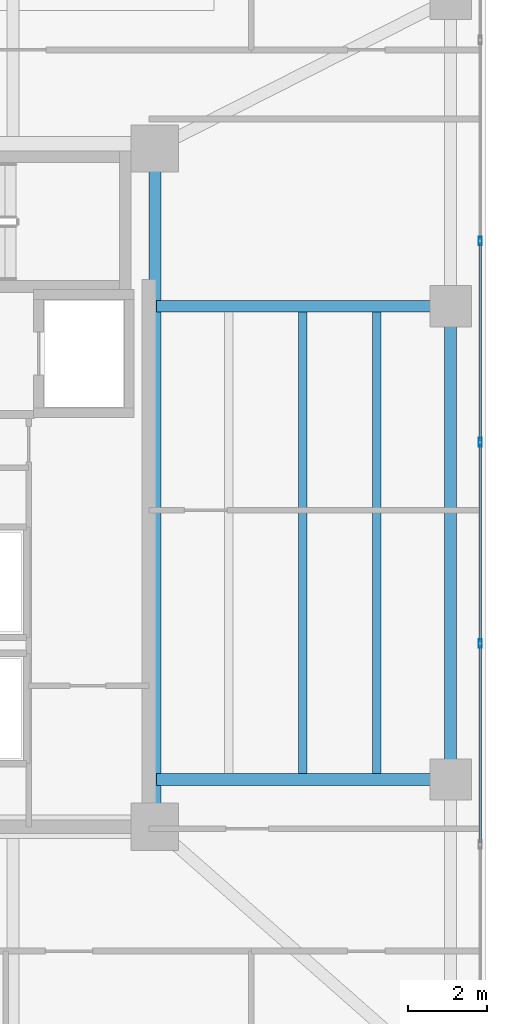
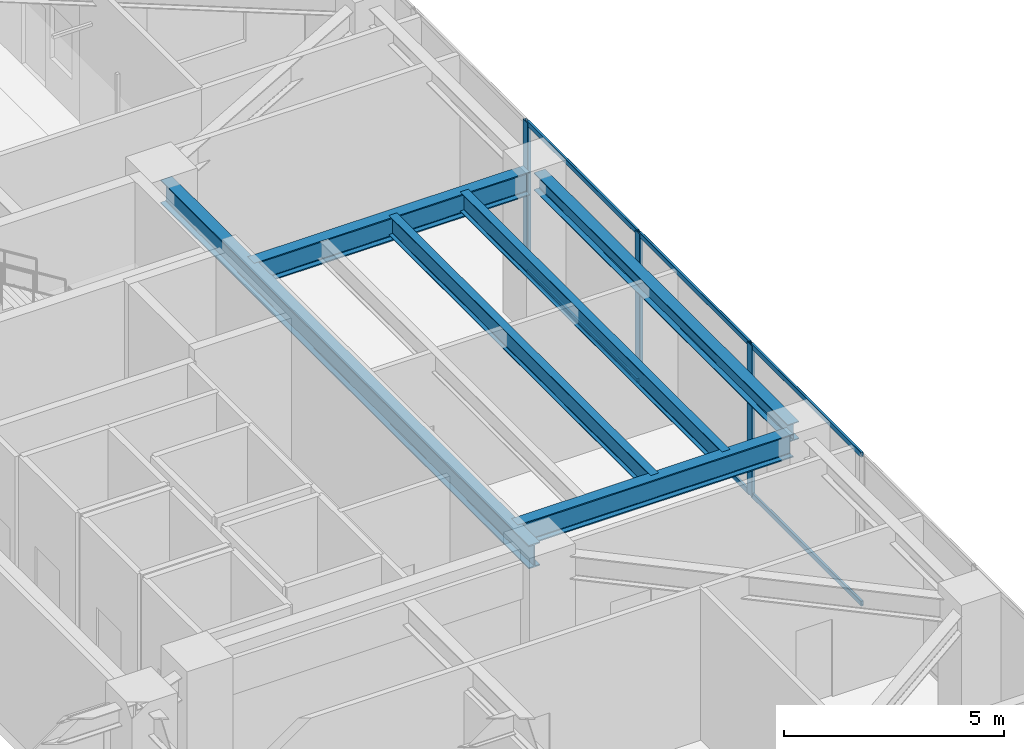
# One storey, part 18 of 38: 9 members, 6 beams, 1 element without a shape of its own.
"""IFC4 building model written with IfcOpenShell, lengths in metres."""

from ifc_helpers import new_model, si_unit, direction, frame, origin, origin_2d, place, context, subcontext, project, spatial, hollow_rectangle, i_section, extrude, material, layer, layer_set, material_profile, profile_set, type_object, element, aggregate, save


model = new_model("IFC4")

# Units and contexts
model_context = context("Model", 3, precision=1e-05, world=origin(), true_north=direction((0.0, 1.0)))
body_context = subcontext(model_context, "Body", "Model", "MODEL_VIEW")
ifc_project = project(units=[si_unit("LENGTHUNIT", "METRE"), si_unit("AREAUNIT", "SQUARE_METRE"), si_unit("VOLUMEUNIT", "CUBIC_METRE"), si_unit("PLANEANGLEUNIT", "RADIAN"), si_unit("MASSUNIT", "GRAM", prefix="KILO")], contexts=[model_context])

# Site, building, storey
site_placement = place(None, origin())
site = spatial("IfcSite", under=ifc_project, at=site_placement, CompositionType="ELEMENT")
building_placement = place(site_placement, origin())
building = spatial("IfcBuilding", under=site, at=building_placement, Name="Tarnavaz Court Tower", CompositionType="ELEMENT")
storey_placement = place(building_placement, frame((0.0, 0.0, 123.0)))
storey = spatial("IfcBuildingStorey", under=building, at=storey_placement, Name="L33", CompositionType="ELEMENT", Elevation=123.0)

# Beams
ifc_material_1 = material(Name="Steel S355", Category="steel")
ifc_material_profile_1 = material_profile(ifc_material_1, i_section(OverallWidth=0.300048828125, OverallDepth=0.64990234375, WebThickness=0.01611328125, FlangeThickness=0.031005859375, FilletRadius=0.027099609375, at=origin_2d()), Name="HEB 650")
ifc_profile_set_1 = profile_set([ifc_material_profile_1], Name="Steel S355")
beam_type_1 = type_object("IfcBeamType", Name="BM-G-HEB650", PredefinedType="USERDEFINED", material=ifc_profile_set_1)
beam_1_placement = place(storey_placement, frame((18.60009765625, -6.97998046875, 3.875), z_axis=(0.0, 1.0, 0.0), x_axis=(-1.0, 0.0, 0.0)))
element("IfcBeam", 1, at=beam_1_placement, inside=storey, type_object=beam_type_1, Name="L33 Beam IN-CE-SO-CE-NO", ObjectType="GIRDER", PredefinedType="USERDEFINED", context=body_context, shape_type="SweptSolid", body=[
    extrude(i_section(OverallWidth=0.300048828125, OverallDepth=0.64990234375, WebThickness=0.01611328125, FlangeThickness=0.031005859375, FilletRadius=0.027099609375, at=origin_2d()), origin(), (0.0, 0.0, 1.0), 16.760009765625),
])
for number, where, z_axis, x_axis, name in (
    (2, (18.639892578125, -6.0, 3.875), (1.0, 0.0, 0.0), (0.0, 1.0, 0.0), "L33 Beam RG-09"),
    (3, (18.639892578125, 6.0, 3.875), (1.0, 0.0, 0.0), (0.0, 1.0, 0.0), "L33 Beam RG-10"),
):
    element("IfcBeam", number, at=place(storey_placement, frame(where, z_axis=z_axis, x_axis=x_axis)), inside=storey, type_object=beam_type_1, Name=name, ObjectType="GIRDER", PredefinedType="USERDEFINED", context=body_context, shape_type="SweptSolid", body=[
        extrude(i_section(OverallWidth=0.300048828125, OverallDepth=0.64990234375, WebThickness=0.01611328125, FlangeThickness=0.031005859375, FilletRadius=0.027099609375, at=origin_2d()), origin(), (0.0, 0.0, 1.0), 7.239990234375),
    ])
ifc_material_profile_2 = material_profile(ifc_material_1, i_section(OverallWidth=0.2099609375, OverallDepth=0.550048828125, WebThickness=0.010986328125, FlangeThickness=0.01708984375, FilletRadius=0.02392578125, at=origin_2d()), Name="IPE 550")
ifc_profile_set_2 = profile_set([ifc_material_profile_2], Name="Steel S355")
beam_type_2 = type_object("IfcBeamType", Name="BM-J-IPE550", PredefinedType="JOIST", material=ifc_profile_set_2)
for number, where, z_axis, x_axis, name in (
    (4, (22.35009765625, -5.9599609375, 3.925048828125), (0.0, 1.0, 0.0), (-1.0, 0.0, 0.0), "L33 Beam JE2"),
    (5, (24.22509765625, -5.9599609375, 3.925048828125), (0.0, 1.0, 0.0), (-1.0, 0.0, 0.0), "L33 Beam JE3"),
):
    element("IfcBeam", number, at=place(storey_placement, frame(where, z_axis=z_axis, x_axis=x_axis)), inside=storey, type_object=beam_type_2, Name=name, PredefinedType="JOIST", context=body_context, shape_type="SweptSolid", body=[
        extrude(i_section(OverallWidth=0.2099609375, OverallDepth=0.550048828125, WebThickness=0.010986328125, FlangeThickness=0.01708984375, FilletRadius=0.02392578125, at=origin_2d()), origin(), (0.0, 0.0, 1.0), 11.919921875),
    ])
ifc_material_profile_3 = material_profile(ifc_material_1, i_section(OverallWidth=0.300048828125, OverallDepth=0.489990234375, WebThickness=0.011962890625, FlangeThickness=0.02294921875, FilletRadius=0.027099609375, at=origin_2d()), Name="HEA 500")
ifc_profile_set_3 = profile_set([ifc_material_profile_3], Name="Steel S355")
beam_type_3 = type_object("IfcBeamType", Name="BM-SP-HEA500", PredefinedType="SPANDREL", material=ifc_profile_set_3)
beam_2_placement = place(storey_placement, frame((26.10009765625, -5.780029296875, 3.955078125), z_axis=(0.0, 1.0, 0.0), x_axis=(-1.0, 0.0, 0.0)))
element("IfcBeam", 6, at=beam_2_placement, inside=storey, type_object=beam_type_3, Name="L33 Beam PR-PE-2-PE-3", PredefinedType="SPANDREL", context=body_context, shape_type="SweptSolid", body=[
    extrude(i_section(OverallWidth=0.300048828125, OverallDepth=0.489990234375, WebThickness=0.011962890625, FlangeThickness=0.02294921875, FilletRadius=0.027099609375, at=origin_2d()), origin(), (0.0, 0.0, 1.0), 11.56005859375),
])

# Curtain wall, members
ifc_material_2 = material(Name="Anodised Aluminium 6063-T6 and Solar Low-E Glazing", Category="aluminium")
ifc_layer = layer(ifc_material_2, 0.199951171875)
ifc_layer_set = layer_set([ifc_layer], Name="Anodised Aluminium 6063-T6 and Solar Low-E Glazing")
curtain_wall_type = type_object("IfcCurtainWallType", Name="CW-SYS-05", PredefinedType="NOTDEFINED", material=ifc_layer_set)
curtain_wall_placement = place(storey_placement, origin())
curtain_wall = element("IfcCurtainWall", 7, at=curtain_wall_placement, inside=storey, type_object=curtain_wall_type, Name="L33 Sky-Portal Curtain Wall 12", PredefinedType="NOTDEFINED")
ifc_material_3 = material(Name="Anodised Aluminium 6063-T6", Category="aluminium")
ifc_material_profile_4 = material_profile(ifc_material_3, hollow_rectangle(XDim=0.0849609375, YDim=0.219970703125, WallThickness=0.006103515625, InnerFilletRadius=0.006103515625, OuterFilletRadius=0.011962890625, at=origin_2d()), Name="ALU RHS 220X85X6")
ifc_profile_set_4 = profile_set([ifc_material_profile_4], Name="Anodised Aluminium 6063-T6")
member_type_1 = type_object("IfcMemberType", Name="CW-MUL-220", PredefinedType="MULLION", material=ifc_profile_set_4)
member_1_placement = place(storey_placement, frame((26.85009765625, 7.64990234375, 0.0), z_axis=(0.0, 0.0, 1.0), x_axis=(1.0, 0.0, 0.0)))
member_1 = element("IfcMember", 8, at=member_1_placement, type_object=member_type_1, Name="CW mullion 3", PredefinedType="MULLION", context=body_context, shape_type="SweptSolid", body=[
    extrude(hollow_rectangle(XDim=0.0849609375, YDim=0.219970703125, WallThickness=0.006103515625, InnerFilletRadius=0.006103515625, OuterFilletRadius=0.011962890625, at=origin_2d()), origin(), (0.0, 0.0, 1.0), 4.199951171875),
])
member_2_placement = place(storey_placement, frame((26.85009765625, 2.550048828125, 0.0), z_axis=(0.0, 0.0, 1.0), x_axis=(1.0, 0.0, 0.0)))
member_2 = element("IfcMember", 9, at=member_2_placement, type_object=member_type_1, Name="CW mullion 4", PredefinedType="MULLION", context=body_context, shape_type="SweptSolid", body=[
    extrude(hollow_rectangle(XDim=0.0849609375, YDim=0.219970703125, WallThickness=0.006103515625, InnerFilletRadius=0.006103515625, OuterFilletRadius=0.011962890625, at=origin_2d()), origin(), (0.0, 0.0, 1.0), 4.199951171875),
])
member_3_placement = place(storey_placement, frame((26.85009765625, -2.550048828125, 0.0), z_axis=(0.0, 0.0, 1.0), x_axis=(1.0, 0.0, 0.0)))
member_3 = element("IfcMember", 10, at=member_3_placement, type_object=member_type_1, Name="CW mullion 5", PredefinedType="MULLION", context=body_context, shape_type="SweptSolid", body=[
    extrude(hollow_rectangle(XDim=0.0849609375, YDim=0.219970703125, WallThickness=0.006103515625, InnerFilletRadius=0.006103515625, OuterFilletRadius=0.011962890625, at=origin_2d()), origin(), (0.0, 0.0, 1.0), 4.199951171875),
])
ifc_material_profile_5 = material_profile(ifc_material_3, hollow_rectangle(XDim=0.06494140625, YDim=0.139892578125, WallThickness=0.00390625, InnerFilletRadius=0.00390625, OuterFilletRadius=0.008056640625, at=origin_2d()), Name="ALU RHS 140X65X4")
ifc_profile_set_5 = profile_set([ifc_material_profile_5], Name="Anodised Aluminium 6063-T6")
member_type_2 = type_object("IfcMemberType", Name="CW-TRN-140", PredefinedType="USERDEFINED", material=ifc_profile_set_5)
member_4_placement = place(storey_placement, frame((26.85009765625, 7.607421875, 0.032470703125), z_axis=(0.0, -1.0, 0.0), x_axis=(1.0, 0.0, 0.0)))
member_4 = element("IfcMember", 11, at=member_4_placement, type_object=member_type_2, Name="CW transom 3.1", ObjectType="TRANSOM", PredefinedType="USERDEFINED", context=body_context, shape_type="SweptSolid", body=[
    extrude(hollow_rectangle(XDim=0.06494140625, YDim=0.139892578125, WallThickness=0.00390625, InnerFilletRadius=0.00390625, OuterFilletRadius=0.008056640625, at=origin_2d()), origin(), (0.0, 0.0, 1.0), 5.014892578125),
])
member_5_placement = place(storey_placement, frame((26.85009765625, 7.607421875, 4.16748046875), z_axis=(0.0, -1.0, 0.0), x_axis=(1.0, 0.0, 0.0)))
member_5 = element("IfcMember", 12, at=member_5_placement, type_object=member_type_2, Name="CW transom 3.2", ObjectType="TRANSOM", PredefinedType="USERDEFINED", context=body_context, shape_type="SweptSolid", body=[
    extrude(hollow_rectangle(XDim=0.06494140625, YDim=0.139892578125, WallThickness=0.00390625, InnerFilletRadius=0.00390625, OuterFilletRadius=0.008056640625, at=origin_2d()), origin(), (0.0, 0.0, 1.0), 5.014892578125),
])
member_6_placement = place(storey_placement, frame((26.85009765625, 2.507568359375, 0.032470703125), z_axis=(0.0, -1.0, 0.0), x_axis=(1.0, 0.0, 0.0)))
member_6 = element("IfcMember", 13, at=member_6_placement, type_object=member_type_2, Name="CW transom 4.1", ObjectType="TRANSOM", PredefinedType="USERDEFINED", context=body_context, shape_type="SweptSolid", body=[
    extrude(hollow_rectangle(XDim=0.06494140625, YDim=0.139892578125, WallThickness=0.00390625, InnerFilletRadius=0.00390625, OuterFilletRadius=0.008056640625, at=origin_2d()), origin(), (0.0, 0.0, 1.0), 5.01513671875),
])
member_7_placement = place(storey_placement, frame((26.85009765625, 2.507568359375, 4.16748046875), z_axis=(0.0, -1.0, 0.0), x_axis=(1.0, 0.0, 0.0)))
member_7 = element("IfcMember", 14, at=member_7_placement, type_object=member_type_2, Name="CW transom 4.2", ObjectType="TRANSOM", PredefinedType="USERDEFINED", context=body_context, shape_type="SweptSolid", body=[
    extrude(hollow_rectangle(XDim=0.06494140625, YDim=0.139892578125, WallThickness=0.00390625, InnerFilletRadius=0.00390625, OuterFilletRadius=0.008056640625, at=origin_2d()), origin(), (0.0, 0.0, 1.0), 5.01513671875),
])
member_8_placement = place(storey_placement, frame((26.85009765625, -2.592529296875, 0.032470703125), z_axis=(0.0, -1.0, 0.0), x_axis=(1.0, 0.0, 0.0)))
member_8 = element("IfcMember", 15, at=member_8_placement, type_object=member_type_2, Name="CW transom 5.1", ObjectType="TRANSOM", PredefinedType="USERDEFINED", context=body_context, shape_type="SweptSolid", body=[
    extrude(hollow_rectangle(XDim=0.06494140625, YDim=0.139892578125, WallThickness=0.00390625, InnerFilletRadius=0.00390625, OuterFilletRadius=0.008056640625, at=origin_2d()), origin(), (0.0, 0.0, 1.0), 5.014892578125),
])
member_9_placement = place(storey_placement, frame((26.85009765625, -2.592529296875, 4.16748046875), z_axis=(0.0, -1.0, 0.0), x_axis=(1.0, 0.0, 0.0)))
member_9 = element("IfcMember", 16, at=member_9_placement, type_object=member_type_2, Name="CW transom 5.2", ObjectType="TRANSOM", PredefinedType="USERDEFINED", context=body_context, shape_type="SweptSolid", body=[
    extrude(hollow_rectangle(XDim=0.06494140625, YDim=0.139892578125, WallThickness=0.00390625, InnerFilletRadius=0.00390625, OuterFilletRadius=0.008056640625, at=origin_2d()), origin(), (0.0, 0.0, 1.0), 5.014892578125),
])
aggregate(curtain_wall, [member_1, member_2, member_3, member_4, member_5, member_6, member_7, member_8, member_9])

save(model, "model.ifc")
